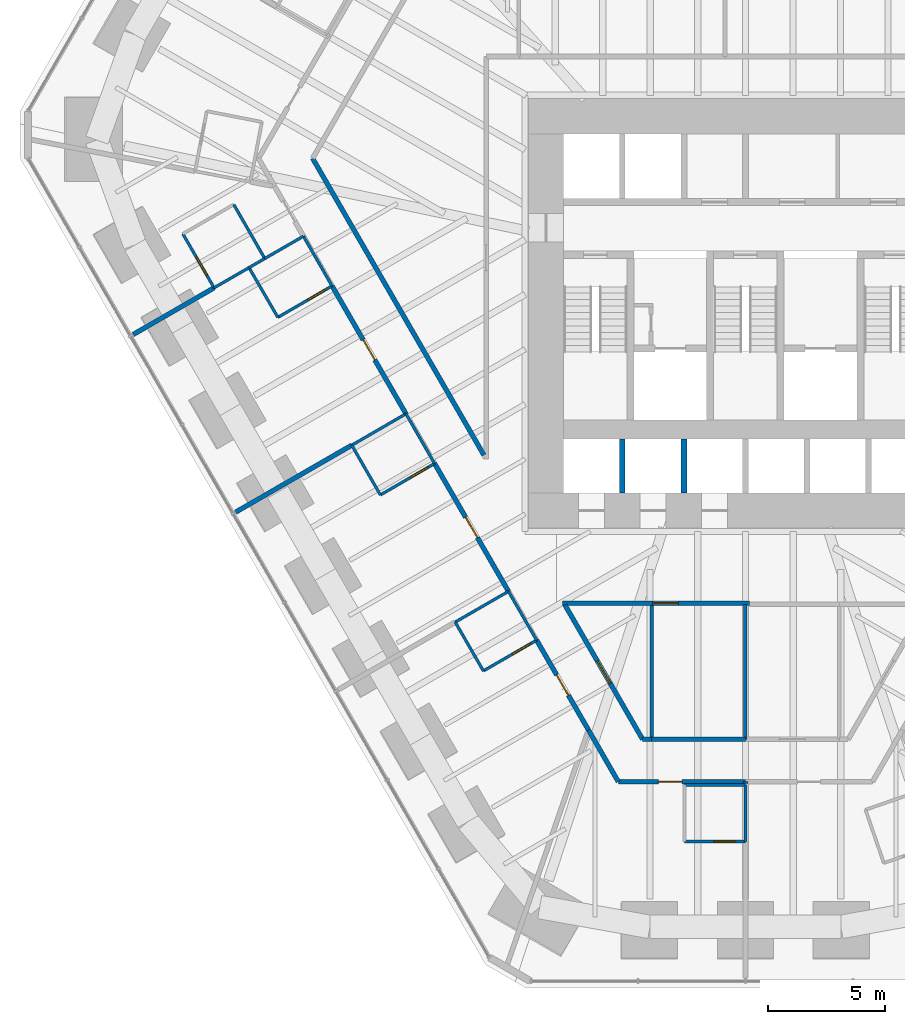
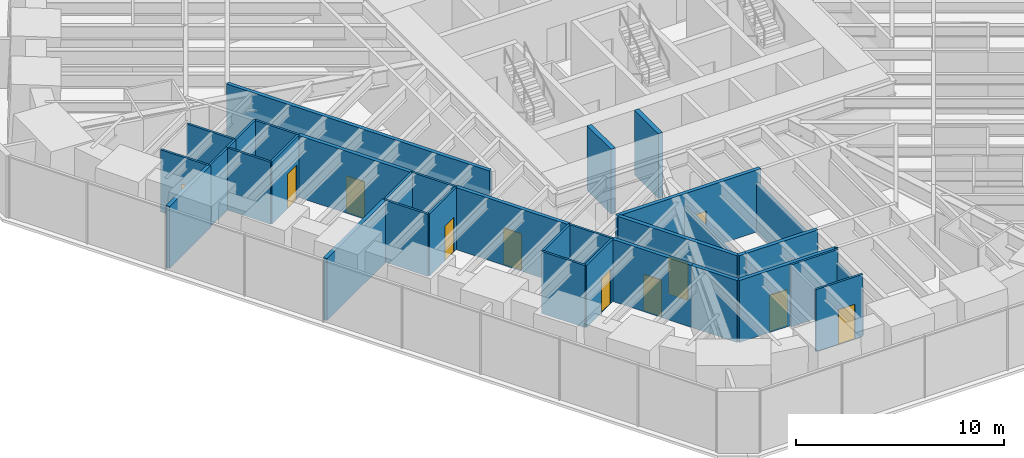
# One storey, part 11 of 17: 36 walls, 11 doors, 11 openings.
"""IFC4 building model written with IfcOpenShell, lengths in metres."""

from ifc_helpers import new_model, si_unit, direction, frame, frame_2d, origin, place, context, subcontext, project, spatial, rectangle, extrude, material, layer, layer_set, type_object, element, fill, save


model = new_model("IFC4")

# Units and contexts
model_context = context("Model", 3, precision=1e-05, world=origin(), true_north=direction((0.0, 1.0)))
body_context = subcontext(model_context, "Body", "Model", "MODEL_VIEW")
ifc_project = project(units=[si_unit("LENGTHUNIT", "METRE"), si_unit("AREAUNIT", "SQUARE_METRE"), si_unit("VOLUMEUNIT", "CUBIC_METRE"), si_unit("PLANEANGLEUNIT", "RADIAN"), si_unit("MASSUNIT", "GRAM", prefix="KILO")], contexts=[model_context])

# Site, building, storey
site_placement = place(None, origin())
site = spatial("IfcSite", under=ifc_project, at=site_placement, CompositionType="ELEMENT")
building_placement = place(site_placement, origin())
building = spatial("IfcBuilding", under=site, at=building_placement, Name="Sandreach Pilgrim Tower", CompositionType="ELEMENT")
storey_placement = place(building_placement, frame((0.0, 0.0, 76.199951171875)))
storey = spatial("IfcBuildingStorey", under=building, at=storey_placement, Name="L18", CompositionType="ELEMENT", Elevation=76.199951171875)

# Walls
ifc_material_1 = material(Name="Gypsum board on steel studs", Category="steel")
ifc_layer_1 = layer(ifc_material_1, 0.14990234375)
ifc_layer_set_1 = layer_set([ifc_layer_1], Name="Back of house wall 150")
wall_type_1 = type_object("IfcWallType", Name="Back of house wall 150", PredefinedType="PARTITIONING", material=ifc_layer_set_1)
wall_1_placement = place(storey_placement, frame((-4.0, -14.0, 0.0), z_axis=(0.0, 0.0, 1.0), x_axis=(0.0, -1.0, 0.0)))
element("IfcWall", 1, at=wall_1_placement, inside=storey, type_object=wall_type_1, Name="Back of house wall L18-060", PredefinedType="PARTITIONING", context=body_context, shape_type="SweptSolid", body=[
    extrude(rectangle(XDim=5.7099609375, YDim=0.14990234375, at=frame_2d((2.85498046875, 0.0))), origin(), (0.0, 0.0, 1.0), 2.8779296875),
])
wall_2_placement = place(storey_placement, frame((0.0, -13.949951171875, 0.0), z_axis=(0.0, 0.0, 1.0), x_axis=(0.0, -1.0, 0.0)))
element("IfcWall", 2, at=wall_2_placement, inside=storey, type_object=wall_type_1, Name="Back of house wall L18-074", PredefinedType="PARTITIONING", context=body_context, shape_type="SweptSolid", body=[
    extrude(rectangle(XDim=5.760009765625, YDim=0.14990234375, at=frame_2d((2.8798828125, 0.0))), origin(), (0.0, 0.0, 1.0), 2.8603515625),
])

# Wall, opening, door
ifc_material_2 = material(Name="Moisture-resistant gypsum board on steel studs", Category="steel")
ifc_layer_2 = layer(ifc_material_2, 0.1201171875)
ifc_layer_set_2 = layer_set([ifc_layer_2], Name="Bathroom partition 120")
wall_type_2 = type_object("IfcWallType", Name="Bathroom partition 120", PredefinedType="PARTITIONING", material=ifc_layer_set_2)
wall_3_placement = place(storey_placement, frame((-23.97998046875, 1.840087890625, 0.0), z_axis=(0.0, 0.0, 1.0), x_axis=(0.500605174168, -0.865675724273, 0.0)))
wall_3 = element("IfcWall", 3, at=wall_3_placement, inside=storey, type_object=wall_type_2, Name="Bathroom partition L18-004", PredefinedType="PARTITIONING", context=body_context, shape_type="SweptSolid", body=[
    extrude(rectangle(XDim=2.656982421875, YDim=0.1201171875, at=frame_2d((1.32861328125, 0.0))), origin(), (0.0, 0.0, 1.0), 3.64013671875),
])
opening_1_placement = place(wall_3_placement, frame((1.14990234375, 0.0, 0.0)))
opening_1 = element("IfcOpeningElement", 4, at=opening_1_placement, cuts=wall_3, Name="Opening D09-16B", PredefinedType="OPENING", context=body_context, shape_type="SweptSolid", body=[
    extrude(rectangle(XDim=0.89990234375, YDim=2.030029296875, at=frame_2d((0.449951171875, 1.01513671875))), frame((0.0, 0.06005859375, 0.0), z_axis=(0.0, -1.0, 0.0), x_axis=(1.0, 0.0, 0.0)), (0.0, 0.0, 1.0), 0.1201171875),
])
ifc_material_3 = material(Name="Timber door, steel frame", Category="steel")
door_type_1 = type_object("IfcDoorType", Name="Bathroom door", OperationType="SINGLE_SWING_LEFT", PredefinedType="DOOR", material=ifc_material_3)
door_1_placement = place(opening_1_placement, origin())
door_1 = element("IfcDoor", 5, at=door_1_placement, inside=storey, type_object=door_type_1, Name="Door 1816B", OperationType="SINGLE_SWING_RIGHT", OverallHeight=2.030029296875, OverallWidth=0.89990234375, PredefinedType="DOOR", context=body_context, shape_type="SweptSolid", body=[
    extrude(rectangle(XDim=0.89990234375, YDim=2.030029296875, at=frame_2d((0.449951171875, 1.01513671875))), frame((0.0, 0.02490234375, 0.0), z_axis=(0.0, -1.0, 0.0), x_axis=(1.0, 0.0, 0.0)), (0.0, 0.0, 1.0), 0.050048828125),
])
fill(opening_1, door_1)

# Walls
wall_4_placement = place(storey_placement, frame((-22.64990234375, -0.460205078125, 0.0), z_axis=(0.0, 0.0, 1.0), x_axis=(0.866060346521, 0.499939472521, 0.0)))
element("IfcWall", 6, at=wall_4_placement, inside=storey, type_object=wall_type_2, Name="Bathroom partition L18-007", PredefinedType="PARTITIONING", context=body_context, shape_type="SweptSolid", body=[
    extrude(rectangle(XDim=1.720458984375, YDim=0.1201171875, at=frame_2d((0.8603515625, 0.0))), origin(), (0.0, 0.0, 1.0), 3.64013671875),
])
wall_5_placement = place(storey_placement, frame((-21.159912109375, 0.39990234375, 0.0), z_axis=(0.0, 0.0, 1.0), x_axis=(0.865907519724, 0.500204125617, 0.0)))
element("IfcWall", 7, at=wall_5_placement, inside=storey, type_object=wall_type_2, Name="Bathroom partition L18-010", PredefinedType="PARTITIONING", context=body_context, shape_type="SweptSolid", body=[
    extrude(rectangle(XDim=0.775146484375, YDim=0.1201171875, at=frame_2d((0.3876953125, 0.0))), origin(), (0.0, 0.0, 1.0), 3.64013671875),
])
wall_6_placement = place(storey_placement, frame((-21.159912109375, 0.39990234375, 0.0), z_axis=(0.0, 0.0, 1.0), x_axis=(0.501856726365, -0.86495076519, 0.0)))
element("IfcWall", 8, at=wall_6_placement, inside=storey, type_object=wall_type_2, Name="Bathroom partition L18-011", PredefinedType="PARTITIONING", context=body_context, shape_type="SweptSolid", body=[
    extrude(rectangle(XDim=2.450927734375, YDim=0.1201171875, at=frame_2d((1.2255859375, 0.0))), origin(), (0.0, 0.0, 1.0), 3.64013671875),
])
wall_7_placement = place(storey_placement, frame((-20.489990234375, 0.7900390625, 0.0), z_axis=(0.0, 0.0, 1.0), x_axis=(-0.497773911185, 0.867306827682, 0.0)))
element("IfcWall", 9, at=wall_7_placement, inside=storey, type_object=wall_type_2, Name="Bathroom partition L18-017", PredefinedType="PARTITIONING", context=body_context, shape_type="SweptSolid", body=[
    extrude(rectangle(XDim=2.65185546875, YDim=0.1201171875, at=frame_2d((1.325927734375, 0.0))), origin(), (0.0, 0.0, 1.0), 3.64013671875),
])
wall_8_placement = place(storey_placement, frame((-20.48876953125, 0.78759765625, 0.0), z_axis=(0.0, 0.0, 1.0), x_axis=(0.865905802456, 0.500207098383, 0.0)))
element("IfcWall", 10, at=wall_8_placement, inside=storey, type_object=wall_type_2, Name="Bathroom partition L18-018", PredefinedType="PARTITIONING", context=body_context, shape_type="SweptSolid", body=[
    extrude(rectangle(XDim=1.904052734375, YDim=0.1201171875, at=frame_2d((0.9521484375, 0.0))), origin(), (0.0, 0.0, 1.0), 3.64013671875),
])

# Wall, opening, door
wall_9_placement = place(storey_placement, frame((-19.929931640625, -1.719970703125, 0.0), z_axis=(0.0, 0.0, 1.0), x_axis=(0.865006586495, 0.501760505939, 0.0)))
wall_9 = element("IfcWall", 11, at=wall_9_placement, inside=storey, type_object=wall_type_2, Name="Bathroom partition L18-021", PredefinedType="PARTITIONING", context=body_context, shape_type="SweptSolid", body=[
    extrude(rectangle(XDim=2.670166015625, YDim=0.1201171875, at=frame_2d((1.3349609375, 0.0))), origin(), (0.0, 0.0, 1.0), 3.64013671875),
])
opening_2_placement = place(wall_9_placement, frame((1.470458984375, 0.0, 0.0)))
opening_2 = element("IfcOpeningElement", 12, at=opening_2_placement, cuts=wall_9, Name="Opening D09-15B", PredefinedType="OPENING", context=body_context, shape_type="SweptSolid", body=[
    extrude(rectangle(XDim=0.89990234375, YDim=2.030029296875, at=frame_2d((0.449951171875, 1.01513671875))), frame((0.0, 0.06005859375, 0.0), z_axis=(0.0, -1.0, 0.0), x_axis=(1.0, 0.0, 0.0)), (0.0, 0.0, 1.0), 0.1201171875),
])
door_2_placement = place(opening_2_placement, origin())
door_2 = element("IfcDoor", 13, at=door_2_placement, inside=storey, type_object=door_type_1, Name="Door 1815B", OperationType="SINGLE_SWING_RIGHT", OverallHeight=2.030029296875, OverallWidth=0.89990234375, PredefinedType="DOOR", context=body_context, shape_type="SweptSolid", body=[
    extrude(rectangle(XDim=0.89990234375, YDim=2.030029296875, at=frame_2d((0.449951171875, 1.01513671875))), frame((0.0, 0.02490234375, 0.0), z_axis=(0.0, -1.0, 0.0), x_axis=(1.0, 0.0, 0.0)), (0.0, 0.0, 1.0), 0.050048828125),
])
fill(opening_2, door_2)

# Walls
for number, where, z_axis, x_axis, name in (
    (14, (-18.840087890625, 1.739990234375, 0.0), (0.0, 0.0, 1.0), (0.498555508765, -0.866857776501, 0.0), "Bathroom partition L18-022"),
    (15, (-16.780029296875, -7.169921875, 0.0), (0.0, 0.0, 1.0), (0.498748634132, -0.866746675766, 0.0), "Bathroom partition L18-030"),
):
    element("IfcWall", number, at=place(storey_placement, frame(where, z_axis=z_axis, x_axis=x_axis)), inside=storey, type_object=wall_type_2, Name=name, PredefinedType="PARTITIONING", context=body_context, shape_type="SweptSolid", body=[
        extrude(rectangle(XDim=2.446044921875, YDim=0.1201171875, at=frame_2d((1.22314453125, 0.0))), origin(), (0.0, 0.0, 1.0), 3.64013671875),
    ])
wall_10_placement = place(storey_placement, frame((-16.780029296875, -7.169921875, 0.0), z_axis=(0.0, 0.0, 1.0), x_axis=(0.865029602175, 0.501720826119, 0.0)))
element("IfcWall", 16, at=wall_10_placement, inside=storey, type_object=wall_type_2, Name="Bathroom partition L18-031", PredefinedType="PARTITIONING", context=body_context, shape_type="SweptSolid", body=[
    extrude(rectangle(XDim=2.67041015625, YDim=0.1201171875, at=frame_2d((1.335205078125, 0.0))), origin(), (0.0, 0.0, 1.0), 3.64013671875),
])

# Wall, opening, door
wall_11_placement = place(storey_placement, frame((-15.56005859375, -9.2900390625, 0.0), z_axis=(0.0, 0.0, 1.0), x_axis=(0.86498992408, 0.501789229896, 0.0)))
wall_11 = element("IfcWall", 17, at=wall_11_placement, inside=storey, type_object=wall_type_2, Name="Bathroom partition L18-033", PredefinedType="PARTITIONING", context=body_context, shape_type="SweptSolid", body=[
    extrude(rectangle(XDim=2.670654296875, YDim=0.1201171875, at=frame_2d((1.33544921875, 0.0))), origin(), (0.0, 0.0, 1.0), 3.64013671875),
])
opening_3_placement = place(wall_11_placement, frame((1.470458984375, 0.0, 0.0)))
opening_3 = element("IfcOpeningElement", 18, at=opening_3_placement, cuts=wall_11, Name="Opening D09-14B", PredefinedType="OPENING", context=body_context, shape_type="SweptSolid", body=[
    extrude(rectangle(XDim=0.89990234375, YDim=2.030029296875, at=frame_2d((0.449951171875, 1.01513671875))), frame((0.0, 0.06005859375, 0.0), z_axis=(0.0, -1.0, 0.0), x_axis=(1.0, 0.0, 0.0)), (0.0, 0.0, 1.0), 0.1201171875),
])
door_3_placement = place(opening_3_placement, origin())
door_3 = element("IfcDoor", 19, at=door_3_placement, inside=storey, type_object=door_type_1, Name="Door 1814B", OperationType="SINGLE_SWING_RIGHT", OverallHeight=2.030029296875, OverallWidth=0.89990234375, PredefinedType="DOOR", context=body_context, shape_type="SweptSolid", body=[
    extrude(rectangle(XDim=0.89990234375, YDim=2.030029296875, at=frame_2d((0.449951171875, 1.01513671875))), frame((0.0, 0.02490234375, 0.0), z_axis=(0.0, -1.0, 0.0), x_axis=(1.0, 0.0, 0.0)), (0.0, 0.0, 1.0), 0.050048828125),
])
fill(opening_3, door_3)

# Walls
wall_12_placement = place(storey_placement, frame((-14.469970703125, -5.830078125, 0.0), z_axis=(0.0, 0.0, 1.0), x_axis=(0.498673646582, -0.86678982124, 0.0)))
element("IfcWall", 20, at=wall_12_placement, inside=storey, type_object=wall_type_2, Name="Bathroom partition L18-034", PredefinedType="PARTITIONING", context=body_context, shape_type="SweptSolid", body=[
    extrude(rectangle(XDim=2.446044921875, YDim=0.1201171875, at=frame_2d((1.22314453125, 0.0))), origin(), (0.0, 0.0, 1.0), 3.64013671875),
])
wall_13_placement = place(storey_placement, frame((-12.3701171875, -14.7099609375, 0.0), z_axis=(0.0, 0.0, 1.0), x_axis=(0.499769390944, -0.866158505053, 0.0)))
element("IfcWall", 21, at=wall_13_placement, inside=storey, type_object=wall_type_2, Name="Bathroom partition L18-039", PredefinedType="PARTITIONING", context=body_context, shape_type="SweptSolid", body=[
    extrude(rectangle(XDim=2.401611328125, YDim=0.1201171875, at=frame_2d((1.20068359375, 0.0))), origin(), (0.0, 0.0, 1.0), 3.64013671875),
])
wall_14_placement = place(storey_placement, frame((-12.3701171875, -14.7099609375, 0.0), z_axis=(0.0, 0.0, 1.0), x_axis=(0.866114241029, 0.499846097802, 0.0)))
element("IfcWall", 22, at=wall_14_placement, inside=storey, type_object=wall_type_2, Name="Bathroom partition L18-040", PredefinedType="PARTITIONING", context=body_context, shape_type="SweptSolid", body=[
    extrude(rectangle(XDim=2.620849609375, YDim=0.1201171875, at=frame_2d((1.310546875, 0.0))), origin(), (0.0, 0.0, 1.0), 3.64013671875),
])

# Wall, opening, door
wall_15_placement = place(storey_placement, frame((-11.169921875, -16.7900390625, 0.0), z_axis=(0.0, 0.0, 1.0), x_axis=(0.866114241029, 0.499846097802, 0.0)))
wall_15 = element("IfcWall", 23, at=wall_15_placement, inside=storey, type_object=wall_type_2, Name="Bathroom partition L18-041", PredefinedType="PARTITIONING", context=body_context, shape_type="SweptSolid", body=[
    extrude(rectangle(XDim=2.620849609375, YDim=0.1201171875, at=frame_2d((1.310546875, 0.0))), origin(), (0.0, 0.0, 1.0), 3.64013671875),
])
opening_4_placement = place(wall_15_placement, frame((1.4208984375, 0.0, 0.0)))
opening_4 = element("IfcOpeningElement", 24, at=opening_4_placement, cuts=wall_15, Name="Opening D09-13B", PredefinedType="OPENING", context=body_context, shape_type="SweptSolid", body=[
    extrude(rectangle(XDim=0.89990234375, YDim=2.030029296875, at=frame_2d((0.449951171875, 1.01513671875))), frame((0.0, 0.06005859375, 0.0), z_axis=(0.0, -1.0, 0.0), x_axis=(1.0, 0.0, 0.0)), (0.0, 0.0, 1.0), 0.1201171875),
])
door_4_placement = place(opening_4_placement, origin())
door_4 = element("IfcDoor", 25, at=door_4_placement, inside=storey, type_object=door_type_1, Name="Door 1813B", OperationType="SINGLE_SWING_RIGHT", OverallHeight=2.030029296875, OverallWidth=0.89990234375, PredefinedType="DOOR", context=body_context, shape_type="SweptSolid", body=[
    extrude(rectangle(XDim=0.89990234375, YDim=2.030029296875, at=frame_2d((0.449951171875, 1.01513671875))), frame((0.0, 0.02490234375, 0.0), z_axis=(0.0, -1.0, 0.0), x_axis=(1.0, 0.0, 0.0)), (0.0, 0.0, 1.0), 0.050048828125),
])
fill(opening_4, door_4)

# Wall
wall_16_placement = place(storey_placement, frame((-10.10009765625, -13.39990234375, 0.0), z_axis=(0.0, 0.0, 1.0), x_axis=(0.499769390944, -0.866158505053, 0.0)))
element("IfcWall", 26, at=wall_16_placement, inside=storey, type_object=wall_type_2, Name="Bathroom partition L18-045", PredefinedType="PARTITIONING", context=body_context, shape_type="SweptSolid", body=[
    extrude(rectangle(XDim=2.401611328125, YDim=0.1201171875, at=frame_2d((1.20068359375, 0.0))), origin(), (0.0, 0.0, 1.0), 3.64013671875),
])

# Wall, opening, door
wall_17_placement = place(storey_placement, frame((-2.60009765625, -24.06005859375, 0.0), z_axis=(0.0, 0.0, 1.0), x_axis=(1.0, 0.0, 0.0)))
wall_17 = element("IfcWall", 27, at=wall_17_placement, inside=storey, type_object=wall_type_2, Name="Bathroom partition L18-061", PredefinedType="PARTITIONING", context=body_context, shape_type="SweptSolid", body=[
    extrude(rectangle(XDim=2.60009765625, YDim=0.1201171875, at=frame_2d((1.300048828125, 0.0))), origin(), (0.0, 0.0, 1.0), 3.64013671875),
])
opening_5_placement = place(wall_17_placement, frame((1.25, 0.0, 0.0)))
opening_5 = element("IfcOpeningElement", 28, at=opening_5_placement, cuts=wall_17, Name="Opening D09-12B", PredefinedType="OPENING", context=body_context, shape_type="SweptSolid", body=[
    extrude(rectangle(XDim=0.89990234375, YDim=2.030029296875, at=frame_2d((0.449951171875, 1.01513671875))), frame((0.0, 0.06005859375, 0.0), z_axis=(0.0, -1.0, 0.0), x_axis=(1.0, 0.0, 0.0)), (0.0, 0.0, 1.0), 0.1201171875),
])
door_5_placement = place(opening_5_placement, origin())
door_5 = element("IfcDoor", 29, at=door_5_placement, inside=storey, type_object=door_type_1, Name="Door 1812B", OperationType="SINGLE_SWING_RIGHT", OverallHeight=2.030029296875, OverallWidth=0.89990234375, PredefinedType="DOOR", context=body_context, shape_type="SweptSolid", body=[
    extrude(rectangle(XDim=0.89990234375, YDim=2.030029296875, at=frame_2d((0.449951171875, 1.01513671875))), frame((0.0, 0.02490234375, 0.0), z_axis=(0.0, -1.0, 0.0), x_axis=(1.0, 0.0, 0.0)), (0.0, 0.0, 1.0), 0.050048828125),
])
fill(opening_5, door_5)

# Walls
wall_18_placement = place(storey_placement, frame((0.0, -24.06005859375, 0.0), z_axis=(0.0, 0.0, 1.0), x_axis=(0.0, 1.0, 0.0)))
element("IfcWall", 30, at=wall_18_placement, inside=storey, type_object=wall_type_2, Name="Bathroom partition L18-069", PredefinedType="PARTITIONING", context=body_context, shape_type="SweptSolid", body=[
    extrude(rectangle(XDim=2.400146484375, YDim=0.1201171875, at=frame_2d((1.2001953125, 0.0))), origin(), (0.0, 0.0, 1.0), 2.8603515625),
])
wall_19_placement = place(storey_placement, frame((0.0, -21.659912109375, 0.0), z_axis=(0.0, 0.0, 1.0), x_axis=(-1.0, 0.0, 0.0)))
element("IfcWall", 31, at=wall_19_placement, inside=storey, type_object=wall_type_2, Name="Bathroom partition L18-070", PredefinedType="PARTITIONING", context=body_context, shape_type="SweptSolid", body=[
    extrude(rectangle(XDim=2.60009765625, YDim=0.1201171875, at=frame_2d((1.300048828125, 0.0))), origin(), (0.0, 0.0, 1.0), 3.64013671875),
])

# Wall, opening, door
ifc_material_4 = material(Name="Gypsum board on steel studs, two layers each side", Category="steel")
ifc_layer_3 = layer(ifc_material_4, 0.199951171875)
ifc_layer_set_3 = layer_set([ifc_layer_3], Name="Corridor wall 200")
wall_type_3 = type_object("IfcWallType", Name="Corridor wall 200", PredefinedType="PARTITIONING", material=ifc_layer_set_3)
wall_20_placement = place(storey_placement, frame((-17.62060546875, -0.38037109375, 0.0), z_axis=(0.0, 0.0, 1.0), x_axis=(0.500505674396, -0.865733255627, 0.0)))
wall_20 = element("IfcWall", 32, at=wall_20_placement, inside=storey, type_object=wall_type_3, Name="Corridor wall L18-028", PredefinedType="PARTITIONING", context=body_context, shape_type="SweptSolid", body=[
    extrude(rectangle(XDim=6.294921875, YDim=0.199951171875, at=frame_2d((3.1474609375, 0.0))), origin(), (0.0, 0.0, 1.0), 3.64013671875),
])
opening_6_placement = place(wall_20_placement, frame((2.6474609375, 0.0, 0.0)))
opening_6 = element("IfcOpeningElement", 33, at=opening_6_placement, cuts=wall_20, Name="Opening D10-15", PredefinedType="OPENING", context=body_context, shape_type="SweptSolid", body=[
    extrude(rectangle(XDim=1.0, YDim=2.1298828125, at=frame_2d((0.5, 1.06494140625))), frame((0.0, 0.10009765625, 0.0), z_axis=(0.0, -1.0, 0.0), x_axis=(1.0, 0.0, 0.0)), (0.0, 0.0, 1.0), 0.199951171875),
])
ifc_material_5 = material(Name="Steel door and frame", Category="steel")
door_type_2 = type_object("IfcDoorType", Name="Guest room entry door", OperationType="SINGLE_SWING_LEFT", PredefinedType="DOOR", material=ifc_material_5)
door_6_placement = place(opening_6_placement, origin())
door_6 = element("IfcDoor", 34, at=door_6_placement, inside=storey, type_object=door_type_2, Name="Door 1815", OperationType="SINGLE_SWING_LEFT", OverallHeight=2.1298828125, OverallWidth=1.0, PredefinedType="DOOR", context=body_context, shape_type="SweptSolid", body=[
    extrude(rectangle(XDim=1.0, YDim=2.1298828125, at=frame_2d((0.5, 1.06494140625))), frame((0.0, 0.02490234375, 0.0), z_axis=(0.0, -1.0, 0.0), x_axis=(1.0, 0.0, 0.0)), (0.0, 0.0, 1.0), 0.050048828125),
])
fill(opening_6, door_6)

wall_21_placement = place(storey_placement, frame((-13.250244140625, -7.9501953125, 0.0), z_axis=(0.0, 0.0, 1.0), x_axis=(0.500447534468, -0.865766865412, 0.0)))
wall_21 = element("IfcWall", 35, at=wall_21_placement, inside=storey, type_object=wall_type_3, Name="Corridor wall L18-036", PredefinedType="PARTITIONING", context=body_context, shape_type="SweptSolid", body=[
    extrude(rectangle(XDim=6.294677734375, YDim=0.199951171875, at=frame_2d((3.1474609375, 0.0))), origin(), (0.0, 0.0, 1.0), 3.64013671875),
])
opening_7_placement = place(wall_21_placement, frame((2.6474609375, 0.0, 0.0)))
opening_7 = element("IfcOpeningElement", 36, at=opening_7_placement, cuts=wall_21, Name="Opening D10-14", PredefinedType="OPENING", context=body_context, shape_type="SweptSolid", body=[
    extrude(rectangle(XDim=1.0, YDim=2.1298828125, at=frame_2d((0.5, 1.06494140625))), frame((0.0, 0.10009765625, 0.0), z_axis=(0.0, -1.0, 0.0), x_axis=(1.0, 0.0, 0.0)), (0.0, 0.0, 1.0), 0.199951171875),
])
door_7_placement = place(opening_7_placement, origin())
door_7 = element("IfcDoor", 37, at=door_7_placement, inside=storey, type_object=door_type_2, Name="Door 1814", OperationType="SINGLE_SWING_LEFT", OverallHeight=2.1298828125, OverallWidth=1.0, PredefinedType="DOOR", context=body_context, shape_type="SweptSolid", body=[
    extrude(rectangle(XDim=1.0, YDim=2.1298828125, at=frame_2d((0.5, 1.06494140625))), frame((0.0, 0.02490234375, 0.0), z_axis=(0.0, -1.0, 0.0), x_axis=(1.0, 0.0, 0.0)), (0.0, 0.0, 1.0), 0.050048828125),
])
fill(opening_7, door_7)

# Wall
wall_22_placement = place(storey_placement, frame((-11.1474609375, -7.591064453125, 0.0), z_axis=(0.0, 0.0, 1.0), x_axis=(-0.499915842114, 0.866073986911, 0.0)))
element("IfcWall", 38, at=wall_22_placement, inside=storey, type_object=wall_type_3, Name="Corridor wall L18-042", PredefinedType="PARTITIONING", context=body_context, shape_type="SweptSolid", body=[
    extrude(rectangle(XDim=14.607421875, YDim=0.199951171875, at=frame_2d((7.3037109375, 0.0))), origin(), (0.0, 0.0, 1.0), 3.64013671875),
])

# Wall, opening, door
wall_23_placement = place(storey_placement, frame((-8.89990234375, -15.47998046875, 0.0), z_axis=(0.0, 0.0, 1.0), x_axis=(0.499773435832, -0.866156171159, 0.0)))
wall_23 = element("IfcWall", 39, at=wall_23_placement, inside=storey, type_object=wall_type_3, Name="Corridor wall L18-051", PredefinedType="PARTITIONING", context=body_context, shape_type="SweptSolid", body=[
    extrude(rectangle(XDim=4.421875, YDim=0.199951171875, at=frame_2d((2.2109375, 0.0))), origin(), (0.0, 0.0, 1.0), 3.64013671875),
])
opening_8_placement = place(wall_23_placement, frame((1.7109375, 0.0, 0.0)))
opening_8 = element("IfcOpeningElement", 40, at=opening_8_placement, cuts=wall_23, Name="Opening D10-13", PredefinedType="OPENING", context=body_context, shape_type="SweptSolid", body=[
    extrude(rectangle(XDim=1.0, YDim=2.1298828125, at=frame_2d((0.5, 1.06494140625))), frame((0.0, 0.10009765625, 0.0), z_axis=(0.0, -1.0, 0.0), x_axis=(1.0, 0.0, 0.0)), (0.0, 0.0, 1.0), 0.199951171875),
])
door_8_placement = place(opening_8_placement, origin())
door_8 = element("IfcDoor", 41, at=door_8_placement, inside=storey, type_object=door_type_2, Name="Door 1813", OperationType="SINGLE_SWING_LEFT", OverallHeight=2.1298828125, OverallWidth=1.0, PredefinedType="DOOR", context=body_context, shape_type="SweptSolid", body=[
    extrude(rectangle(XDim=1.0, YDim=2.1298828125, at=frame_2d((0.5, 1.06494140625))), frame((0.0, 0.02490234375, 0.0), z_axis=(0.0, -1.0, 0.0), x_axis=(1.0, 0.0, 0.0)), (0.0, 0.0, 1.0), 0.050048828125),
])
fill(opening_8, door_8)

# Wall
wall_24_placement = place(storey_placement, frame((-6.68994140625, -19.31005859375, 0.0), z_axis=(0.0, 0.0, 1.0), x_axis=(0.499963722229, -0.866046347752, 0.0)))
element("IfcWall", 42, at=wall_24_placement, inside=storey, type_object=wall_type_3, Name="Corridor wall L18-052", PredefinedType="PARTITIONING", context=body_context, shape_type="SweptSolid", body=[
    extrude(rectangle(XDim=2.540283203125, YDim=0.199951171875, at=frame_2d((1.27001953125, 0.0))), origin(), (0.0, 0.0, 1.0), 3.64013671875),
])

# Wall, opening, door
wall_25_placement = place(storey_placement, frame((-5.419921875, -21.510009765625, 0.0), z_axis=(0.0, 0.0, 1.0), x_axis=(1.0, 0.0, 0.0)))
wall_25 = element("IfcWall", 43, at=wall_25_placement, inside=storey, type_object=wall_type_3, Name="Corridor wall L18-057", PredefinedType="PARTITIONING", context=body_context, shape_type="SweptSolid", body=[
    extrude(rectangle(XDim=5.419921875, YDim=0.199951171875, at=frame_2d((2.7099609375, 0.0))), origin(), (0.0, 0.0, 1.0), 3.64013671875),
])
opening_9_placement = place(wall_25_placement, frame((1.7099609375, 0.0, 0.0)))
opening_9 = element("IfcOpeningElement", 44, at=opening_9_placement, cuts=wall_25, Name="Opening D10-12", PredefinedType="OPENING", context=body_context, shape_type="SweptSolid", body=[
    extrude(rectangle(XDim=1.0, YDim=2.1298828125, at=frame_2d((0.5, 1.06494140625))), frame((0.0, 0.10009765625, 0.0), z_axis=(0.0, -1.0, 0.0), x_axis=(1.0, 0.0, 0.0)), (0.0, 0.0, 1.0), 0.199951171875),
])
door_9_placement = place(opening_9_placement, origin())
door_9 = element("IfcDoor", 45, at=door_9_placement, inside=storey, type_object=door_type_2, Name="Door 1812", OperationType="SINGLE_SWING_LEFT", OverallHeight=2.1298828125, OverallWidth=1.0, PredefinedType="DOOR", context=body_context, shape_type="SweptSolid", body=[
    extrude(rectangle(XDim=1.0, YDim=2.1298828125, at=frame_2d((0.5, 1.06494140625))), frame((0.0, 0.02490234375, 0.0), z_axis=(0.0, -1.0, 0.0), x_axis=(1.0, 0.0, 0.0)), (0.0, 0.0, 1.0), 0.050048828125),
])
fill(opening_9, door_9)

wall_26_placement = place(storey_placement, frame((-4.3798828125, -19.7099609375, 0.0), z_axis=(0.0, 0.0, 1.0), x_axis=(-0.500523653757, 0.865722860984, 0.0)))
wall_26 = element("IfcWall", 46, at=wall_26_placement, inside=storey, type_object=wall_type_3, Name="Corridor wall L18-058", PredefinedType="PARTITIONING", context=body_context, shape_type="SweptSolid", body=[
    extrude(rectangle(XDim=6.62841796875, YDim=0.199951171875, at=frame_2d((3.314208984375, 0.0))), origin(), (0.0, 0.0, 1.0), 3.64013671875),
])
opening_10_placement = place(wall_26_placement, frame((2.76416015625, 0.0, 0.0)))
opening_10 = element("IfcOpeningElement", 47, at=opening_10_placement, cuts=wall_26, Name="Opening D11H-S1", PredefinedType="OPENING", context=body_context, shape_type="SweptSolid", body=[
    extrude(rectangle(XDim=1.10009765625, YDim=2.199951171875, at=frame_2d((0.550048828125, 1.10009765625))), frame((0.0, 0.10009765625, 0.0), z_axis=(0.0, -1.0, 0.0), x_axis=(1.0, 0.0, 0.0)), (0.0, 0.0, 1.0), 0.199951171875),
])
ifc_material_6 = material(Name="Steel door and frame", Category="steel")
door_type_3 = type_object("IfcDoorType", Name="Back of house door", OperationType="SINGLE_SWING_LEFT", PredefinedType="DOOR", material=ifc_material_6)
door_10_placement = place(opening_10_placement, origin())
door_10 = element("IfcDoor", 48, at=door_10_placement, inside=storey, type_object=door_type_3, Name="Door 18S1", OperationType="SINGLE_SWING_LEFT", OverallHeight=2.199951171875, OverallWidth=1.10009765625, PredefinedType="DOOR", context=body_context, shape_type="SweptSolid", body=[
    extrude(rectangle(XDim=1.10009765625, YDim=2.199951171875, at=frame_2d((0.550048828125, 1.10009765625))), frame((0.0, 0.02490234375, 0.0), z_axis=(0.0, -1.0, 0.0), x_axis=(1.0, 0.0, 0.0)), (0.0, 0.0, 1.0), 0.050048828125),
])
fill(opening_10, door_10)

# Walls
wall_27_placement = place(storey_placement, frame((-4.0, -19.7099609375, 0.0), z_axis=(0.0, 0.0, 1.0), x_axis=(-1.0, 0.0, 0.0)))
element("IfcWall", 49, at=wall_27_placement, inside=storey, type_object=wall_type_3, Name="Corridor wall L18-059", PredefinedType="PARTITIONING", context=body_context, shape_type="SweptSolid", body=[
    extrude(rectangle(XDim=0.3798828125, YDim=0.199951171875, at=frame_2d((0.18994140625, 0.0))), origin(), (0.0, 0.0, 1.0), 3.64013671875),
])
wall_28_placement = place(storey_placement, frame((0.0, -19.7099609375, 0.0), z_axis=(0.0, 0.0, 1.0), x_axis=(-1.0, 0.0, 0.0)))
element("IfcWall", 50, at=wall_28_placement, inside=storey, type_object=wall_type_3, Name="Corridor wall L18-073", PredefinedType="PARTITIONING", context=body_context, shape_type="SweptSolid", body=[
    extrude(rectangle(XDim=4.0, YDim=0.199951171875, at=frame_2d((2.0, 0.0))), origin(), (0.0, 0.0, 1.0), 3.64013671875),
])

# Wall, opening, door
wall_29_placement = place(storey_placement, frame((0.179931640625, -13.89990234375, 0.0), z_axis=(0.0, 0.0, 1.0), x_axis=(-1.0, 0.0, 0.0)))
wall_29 = element("IfcWall", 51, at=wall_29_placement, inside=storey, type_object=wall_type_3, Name="Corridor wall L18-076", PredefinedType="PARTITIONING", context=body_context, shape_type="SweptSolid", body=[
    extrude(rectangle(XDim=7.969970703125, YDim=0.199951171875, at=frame_2d((3.98486328125, 0.0))), origin(), (0.0, 0.0, 1.0), 3.64013671875),
])
opening_11_placement = place(wall_29_placement, frame((3.034912109375, 0.0, 0.0)))
opening_11 = element("IfcOpeningElement", 52, at=opening_11_placement, cuts=wall_29, Name="Opening D11H-S2", PredefinedType="OPENING", context=body_context, shape_type="SweptSolid", body=[
    extrude(rectangle(XDim=1.10009765625, YDim=2.199951171875, at=frame_2d((0.550048828125, 1.10009765625))), frame((0.0, 0.10009765625, 0.0), z_axis=(0.0, -1.0, 0.0), x_axis=(1.0, 0.0, 0.0)), (0.0, 0.0, 1.0), 0.199951171875),
])
door_11_placement = place(opening_11_placement, origin())
door_11 = element("IfcDoor", 53, at=door_11_placement, inside=storey, type_object=door_type_3, Name="Door 18S2", OperationType="SINGLE_SWING_LEFT", OverallHeight=2.199951171875, OverallWidth=1.10009765625, PredefinedType="DOOR", context=body_context, shape_type="SweptSolid", body=[
    extrude(rectangle(XDim=1.10009765625, YDim=2.199951171875, at=frame_2d((0.550048828125, 1.10009765625))), frame((0.0, 0.02490234375, 0.0), z_axis=(0.0, -1.0, 0.0), x_axis=(1.0, 0.0, 0.0)), (0.0, 0.0, 1.0), 0.050048828125),
])
fill(opening_11, door_11)

# Walls
ifc_material_7 = material(Name="Double steel stud acoustic wall, gypsum board", Category="steel")
ifc_layer_4 = layer(ifc_material_7, 0.199951171875)
ifc_layer_set_4 = layer_set([ifc_layer_4], Name="Party wall 200")
wall_type_4 = type_object("IfcWallType", Name="Party wall 200", PredefinedType="PARTITIONING", material=ifc_layer_set_4)
wall_30_placement = place(storey_placement, frame((-26.09619140625, -2.449951171875, 0.0), z_axis=(0.0, 0.0, 1.0), x_axis=(0.866022120267, 0.500005687176, 0.0)))
element("IfcWall", 54, at=wall_30_placement, inside=storey, type_object=wall_type_4, Name="Party wall L18-002", PredefinedType="PARTITIONING", context=body_context, shape_type="SweptSolid", body=[
    extrude(rectangle(XDim=3.9794921875, YDim=0.199951171875, at=frame_2d((1.98974609375, 0.0))), origin(), (0.0, 0.0, 1.0), 3.64013671875),
])
wall_31_placement = place(storey_placement, frame((-21.72607421875, -10.02001953125, 0.0), z_axis=(0.0, 0.0, 1.0), x_axis=(0.866442508333, 0.499276856818, 0.0)))
element("IfcWall", 55, at=wall_31_placement, inside=storey, type_object=wall_type_4, Name="Party wall L18-009", PredefinedType="PARTITIONING", context=body_context, shape_type="SweptSolid", body=[
    extrude(rectangle(XDim=5.70849609375, YDim=0.199951171875, at=frame_2d((2.854248046875, 0.0))), origin(), (0.0, 0.0, 1.0), 3.64013671875),
])
wall_32_placement = place(storey_placement, frame((0.0, -21.60009765625, 0.0), z_axis=(0.0, 0.0, 1.0), x_axis=(0.0, 1.0, 0.0)))
element("IfcWall", 56, at=wall_32_placement, inside=storey, type_object=wall_type_4, Name="Party wall L18-071", PredefinedType="PARTITIONING", context=body_context, shape_type="SweptSolid", body=[
    extrude(rectangle(XDim=0.090087890625, YDim=0.199951171875, at=frame_2d((0.044921875, 0.0))), origin(), (0.0, 0.0, 1.0), 3.64013671875),
])
ifc_material_8 = material(Name="Gypsum shaft wall on steel studs, two layers of shaft liner board", Category="steel")
ifc_layer_5 = layer(ifc_material_8, 0.25)
ifc_layer_set_5 = layer_set([ifc_layer_5], Name="Shaft partition 250")
wall_type_5 = type_object("IfcWallType", Name="Shaft partition 250", PredefinedType="PARTITIONING", material=ifc_layer_set_5)
for number, where, z_axis, x_axis, name in (
    (57, (-5.25, -9.199951171875, 0.0), (0.0, 0.0, 1.0), (0.0, 1.0, 0.0), "Shaft partition XS0 L18"),
    (58, (-2.625, -9.199951171875, 0.0), (0.0, 0.0, 1.0), (0.0, 1.0, 0.0), "Shaft partition XS1 L18"),
):
    element("IfcWall", number, at=place(storey_placement, frame(where, z_axis=z_axis, x_axis=x_axis)), inside=storey, type_object=wall_type_5, Name=name, PredefinedType="PARTITIONING", context=body_context, shape_type="SweptSolid", body=[
        extrude(rectangle(XDim=2.300048828125, YDim=0.25, at=frame_2d((1.14990234375, 0.0))), origin(), (0.0, 0.0, 1.0), 3.800048828125),
    ])

save(model, "model.ifc")
